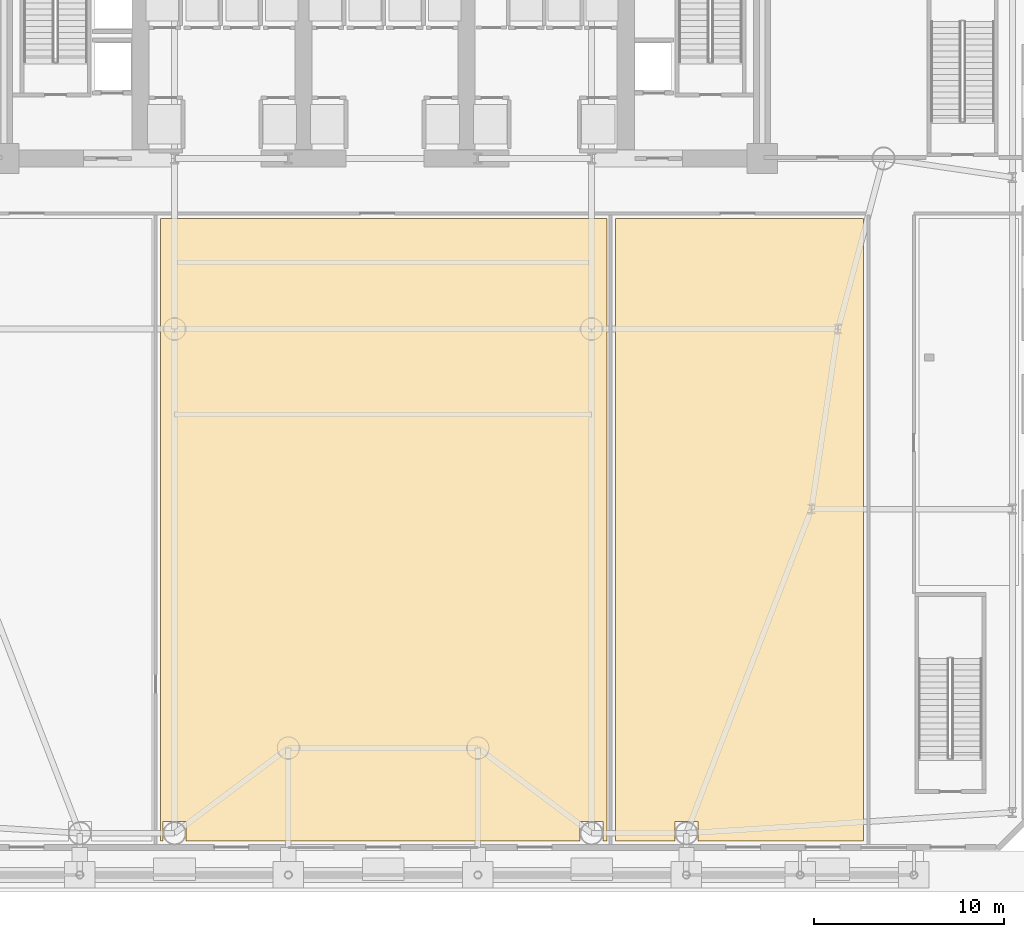
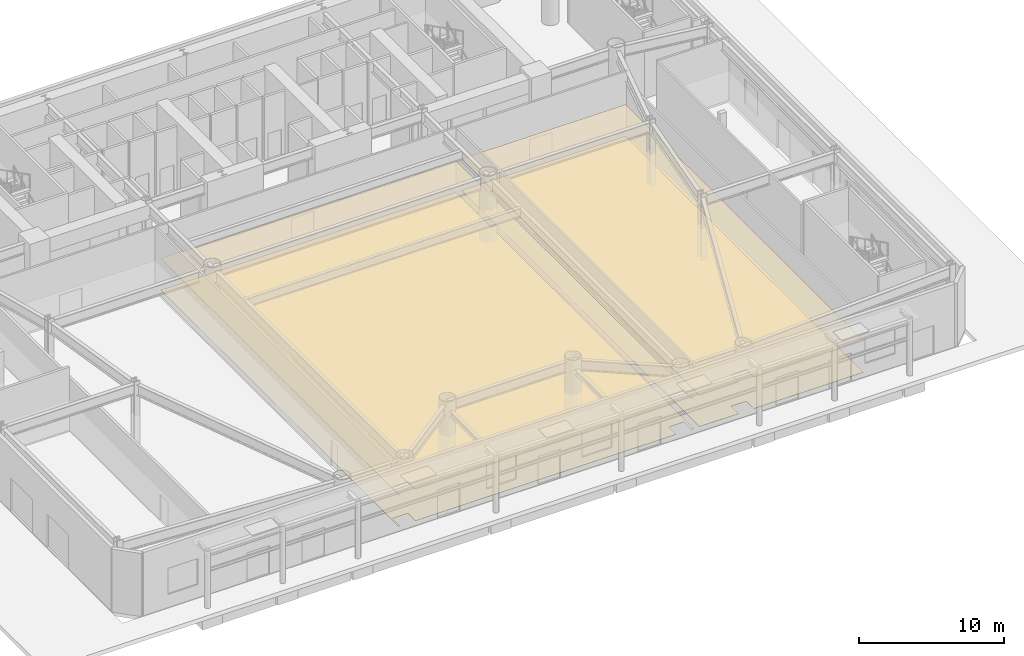
# One storey, part 15 of 20: 4 coverings.
"""IFC4 building model written with IfcOpenShell, lengths in metres."""

from ifc_helpers import new_model, si_unit, direction, frame, origin, place, context, subcontext, project, spatial, polyline, outline, extrude, material, layer, layer_set, type_object, element, save


model = new_model("IFC4")

# Units and contexts
model_context = context("Model", 3, precision=1e-05, world=origin(), true_north=direction((0.0, 1.0)))
body_context = subcontext(model_context, "Body", "Model", "MODEL_VIEW")
ifc_project = project(units=[si_unit("LENGTHUNIT", "METRE"), si_unit("AREAUNIT", "SQUARE_METRE"), si_unit("VOLUMEUNIT", "CUBIC_METRE"), si_unit("PLANEANGLEUNIT", "RADIAN"), si_unit("MASSUNIT", "GRAM", prefix="KILO")], contexts=[model_context])

# Site, building, storey
site_placement = place(None, origin())
site = spatial("IfcSite", under=ifc_project, at=site_placement, CompositionType="ELEMENT")
building_placement = place(site_placement, origin())
building = spatial("IfcBuilding", under=site, at=building_placement, Name="Vaeldorn Concourse Tower", CompositionType="ELEMENT")
storey_placement = place(building_placement, origin())
storey = spatial("IfcBuildingStorey", under=building, at=storey_placement, Name="L00", CompositionType="ELEMENT", Elevation=0.0)

# Coverings
ifc_material_1 = material(Name="Acoustic Mineral Fibre Board", Category="gypsum")
ifc_layer_1 = layer(ifc_material_1, 0.0400390625)
ifc_layer_set_1 = layer_set([ifc_layer_1], Name="Acoustic Mineral Fibre Board")
covering_type_1 = type_object("IfcCoveringType", Name="COV-CEIL-ACOUSTIC", PredefinedType="CEILING", material=ifc_layer_set_1)
covering_1_placement = place(storey_placement, frame((0.0, 0.0, 2.64990234375)))
element("IfcCovering", 1, at=covering_1_placement, inside=storey, type_object=covering_type_1, Name="Suspended Acoustic Ceiling L00-7", PredefinedType="CEILING", context=body_context, shape_type="SweptSolid", body=[
    extrude(outline(polyline([(22.260009765625, 33.340087890625), (45.820068359375, 33.340087890625), (45.820068359375, 0.47998046875), (45.609619140625, 0.47998046875), (45.609619140625, 1.509521484375), (44.390380859375, 1.509521484375), (44.390380859375, 0.47998046875), (23.609619140625, 0.47998046875), (23.609619140625, 1.509521484375), (22.390380859375, 1.509521484375), (22.390380859375, 0.47998046875), (22.260009765625, 0.47998046875), (22.260009765625, 33.340087890625)])), origin(), (0.0, 0.0, 1.0), 0.0400390625),
])
covering_2_placement = place(storey_placement, frame((0.0, 0.0, 2.64990234375)))
element("IfcCovering", 2, at=covering_2_placement, inside=storey, type_object=covering_type_1, Name="Suspended Acoustic Ceiling L00-8", PredefinedType="CEILING", context=body_context, shape_type="SweptSolid", body=[
    extrude(outline(polyline([(46.260009765625, 33.340087890625), (59.340087890625, 33.340087890625), (59.340087890625, 0.47998046875), (50.609619140625, 0.47998046875), (50.609619140625, 1.509521484375), (49.390380859375, 1.509521484375), (49.390380859375, 0.47998046875), (46.260009765625, 0.47998046875), (46.260009765625, 33.340087890625)])), origin(), (0.0, 0.0, 1.0), 0.0400390625),
])
ifc_material_2 = material(Name="Honed Limestone Terrazzo Flooring", Category="masonry")
ifc_layer_2 = layer(ifc_material_2, 0.0400390625)
ifc_layer_set_2 = layer_set([ifc_layer_2], Name="Honed Limestone Terrazzo Flooring")
covering_type_2 = type_object("IfcCoveringType", Name="COV-FLOOR-STONE", PredefinedType="FLOORING", material=ifc_layer_set_2)
covering_3_placement = place(storey_placement, origin())
element("IfcCovering", 3, at=covering_3_placement, inside=storey, type_object=covering_type_2, Name="Floor Finish Covering L00-7", PredefinedType="FLOORING", context=body_context, shape_type="SweptSolid", body=[
    extrude(outline(polyline([(22.260009765625, 33.340087890625), (45.820068359375, 33.340087890625), (45.820068359375, 0.47998046875), (45.609619140625, 0.47998046875), (45.609619140625, 1.509521484375), (44.390380859375, 1.509521484375), (44.390380859375, 0.47998046875), (23.609619140625, 0.47998046875), (23.609619140625, 1.509521484375), (22.390380859375, 1.509521484375), (22.390380859375, 0.47998046875), (22.260009765625, 0.47998046875), (22.260009765625, 33.340087890625)])), origin(), (0.0, 0.0, 1.0), 0.030029296875),
])
covering_4_placement = place(storey_placement, origin())
element("IfcCovering", 4, at=covering_4_placement, inside=storey, type_object=covering_type_2, Name="Floor Finish Covering L00-8", PredefinedType="FLOORING", context=body_context, shape_type="SweptSolid", body=[
    extrude(outline(polyline([(46.260009765625, 33.340087890625), (59.340087890625, 33.340087890625), (59.340087890625, 0.47998046875), (50.609619140625, 0.47998046875), (50.609619140625, 1.509521484375), (49.390380859375, 1.509521484375), (49.390380859375, 0.47998046875), (46.260009765625, 0.47998046875), (46.260009765625, 33.340087890625)])), origin(), (0.0, 0.0, 1.0), 0.030029296875),
])

save(model, "model.ifc")
